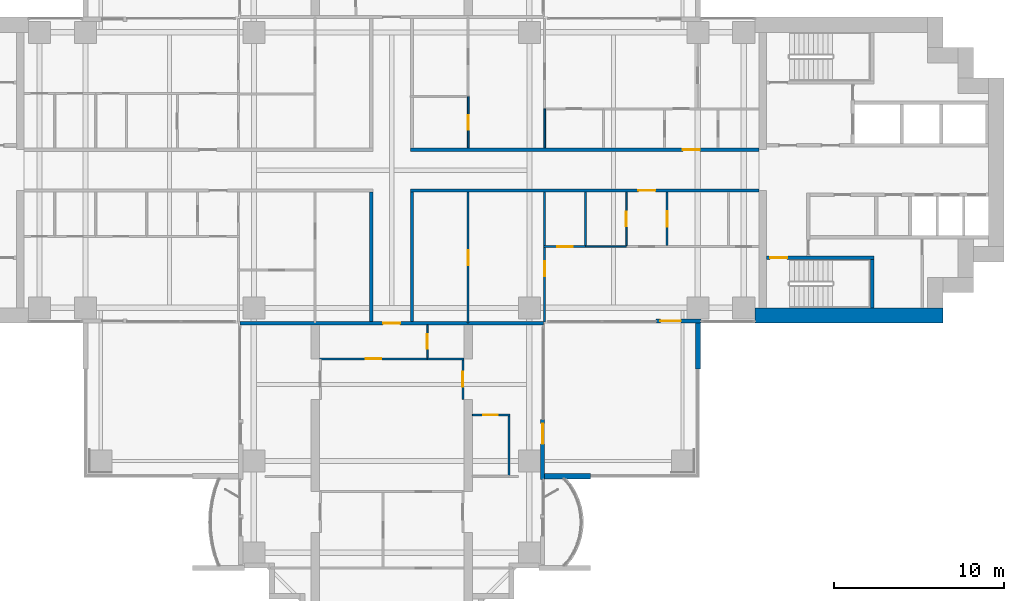
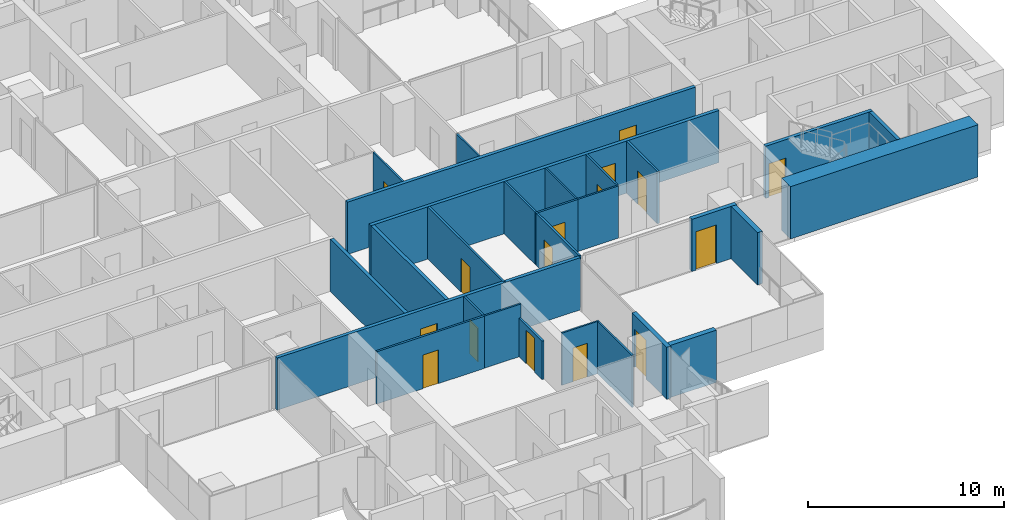
# One storey, part 12 of 20: 27 walls, 16 doors, 16 openings.
"""IFC4 building model written with IfcOpenShell, lengths in metres."""

from ifc_helpers import new_model, si_unit, direction, frame, frame_2d, origin, place, context, subcontext, project, spatial, rectangle, extrude, material, layer, layer_set, type_object, element, fill, save


model = new_model("IFC4")

# Units and contexts
model_context = context("Model", 3, precision=1e-05, world=origin(), true_north=direction((0.0, 1.0)))
body_context = subcontext(model_context, "Body", "Model", "MODEL_VIEW")
ifc_project = project(units=[si_unit("LENGTHUNIT", "METRE"), si_unit("AREAUNIT", "SQUARE_METRE"), si_unit("VOLUMEUNIT", "CUBIC_METRE"), si_unit("PLANEANGLEUNIT", "RADIAN"), si_unit("MASSUNIT", "GRAM", prefix="KILO")], contexts=[model_context])

# Site, building, storey
site_placement = place(None, origin())
site = spatial("IfcSite", under=ifc_project, at=site_placement, CompositionType="ELEMENT")
building_placement = place(site_placement, origin())
building = spatial("IfcBuilding", under=site, at=building_placement, Name="Perihelion Cross Residences", CompositionType="ELEMENT")
storey_placement = place(building_placement, frame((0.0, 0.0, 68.0)))
storey = spatial("IfcBuildingStorey", under=building, at=storey_placement, Name="L14", CompositionType="ELEMENT", Elevation=68.0)

# Wall, opening, door
ifc_material_1 = material(Name="Plasterboard partition")
ifc_layer_1 = layer(ifc_material_1, 0.199951171875)
ifc_layer_set_1 = layer_set([ifc_layer_1], Name="Apartment separation wall 200")
wall_type_1 = type_object("IfcWallType", Name="Apartment separation wall 200", PredefinedType="PARTITIONING", material=ifc_layer_set_1)
wall_1_placement = place(storey_placement, frame((1.10009765625, 1.199951171875, 0.0), z_axis=(0.0, 0.0, 1.0), x_axis=(1.0, 0.0, 0.0)))
wall_1 = element("IfcWall", 1, at=wall_1_placement, inside=storey, type_object=wall_type_1, Name="Partition L14 W001", PredefinedType="PARTITIONING", context=body_context, shape_type="SweptSolid", body=[
    extrude(rectangle(XDim=20.5, YDim=0.199951171875, at=frame_2d((10.25, 0.0))), origin(), (0.0, 0.0, 1.0), 3.25),
])
opening_1_placement = place(wall_1_placement, frame((16.02490234375, 0.0, 0.0)))
opening_1 = element("IfcOpeningElement", 2, at=opening_1_placement, cuts=wall_1, Name="Opening L14.A46", PredefinedType="OPENING", context=body_context, shape_type="SweptSolid", body=[
    extrude(rectangle(XDim=1.0, YDim=2.10009765625, at=frame_2d((0.5, 1.050048828125))), frame((0.0, 0.10986328125, 0.0), z_axis=(0.0, -1.0, 0.0), x_axis=(1.0, 0.0, 0.0)), (0.0, 0.0, 1.0), 0.219970703125),
])
ifc_material_2 = material(Name="Timber door leaf", Category="wood")
door_type_1 = type_object("IfcDoorType", Name="Flat entrance door 1000 x 2100", OperationType="SINGLE_SWING_LEFT", PredefinedType="DOOR", material=ifc_material_2)
door_1_placement = place(opening_1_placement, origin())
door_1 = element("IfcDoor", 3, at=door_1_placement, inside=storey, type_object=door_type_1, Name="Door L14.A46", OperationType="SINGLE_SWING_RIGHT", OverallHeight=2.10009765625, OverallWidth=1.0, PredefinedType="DOOR", context=body_context, shape_type="SweptSolid", body=[
    extrude(rectangle(XDim=1.0, YDim=2.10009765625, at=frame_2d((0.5, 1.050048828125))), frame((0.0, 0.02490234375, 0.0), z_axis=(0.0, -1.0, 0.0), x_axis=(1.0, 0.0, 0.0)), (0.0, 0.0, 1.0), 0.050048828125),
])
fill(opening_1, door_1)

wall_2_placement = place(storey_placement, frame((21.60009765625, -1.199951171875, 0.0), z_axis=(0.0, 0.0, 1.0), x_axis=(-1.0, 0.0, 0.0)))
wall_2 = element("IfcWall", 4, at=wall_2_placement, inside=storey, type_object=wall_type_1, Name="Partition L14 W003", PredefinedType="PARTITIONING", context=body_context, shape_type="SweptSolid", body=[
    extrude(rectangle(XDim=20.5, YDim=0.199951171875, at=frame_2d((10.25, 0.0))), origin(), (0.0, 0.0, 1.0), 3.25),
])
opening_2_placement = place(wall_2_placement, frame((6.10009765625, 0.0, 0.0)))
opening_2 = element("IfcOpeningElement", 5, at=opening_2_placement, cuts=wall_2, Name="Opening L14.A47", PredefinedType="OPENING", context=body_context, shape_type="SweptSolid", body=[
    extrude(rectangle(XDim=1.0, YDim=2.10009765625, at=frame_2d((0.5, 1.050048828125))), frame((0.0, 0.10986328125, 0.0), z_axis=(0.0, -1.0, 0.0), x_axis=(1.0, 0.0, 0.0)), (0.0, 0.0, 1.0), 0.219970703125),
])
door_2_placement = place(opening_2_placement, origin())
door_2 = element("IfcDoor", 6, at=door_2_placement, inside=storey, type_object=door_type_1, Name="Door L14.A47", OperationType="SINGLE_SWING_LEFT", OverallHeight=2.10009765625, OverallWidth=1.0, PredefinedType="DOOR", context=body_context, shape_type="SweptSolid", body=[
    extrude(rectangle(XDim=1.0, YDim=2.10009765625, at=frame_2d((0.5, 1.050048828125))), frame((0.0, 0.02490234375, 0.0), z_axis=(0.0, -1.0, 0.0), x_axis=(1.0, 0.0, 0.0)), (0.0, 0.0, 1.0), 0.050048828125),
])
fill(opening_2, door_2)

# Walls
for number, where, z_axis, x_axis, name in (
    (7, (1.199951171875, -1.300048828125, 0.0), (0.0, 0.0, 1.0), (0.0, -1.0, 0.0), "Partition L14 W004"),
    (8, (-1.199951171875, -8.89990234375, 0.0), (0.0, 0.0, 1.0), (0.0, 1.0, 0.0), "Partition L14 W008"),
):
    element("IfcWall", number, at=place(storey_placement, frame(where, z_axis=z_axis, x_axis=x_axis)), inside=storey, type_object=wall_type_1, Name=name, PredefinedType="PARTITIONING", context=body_context, shape_type="SweptSolid", body=[
        extrude(rectangle(XDim=7.599853515625, YDim=0.199951171875, at=frame_2d((3.7998046875, 0.0))), origin(), (0.0, 0.0, 1.0), 3.25),
    ])

# Wall, opening, door
wall_3_placement = place(storey_placement, frame((8.919921875, -9.0, 0.0), z_axis=(0.0, 0.0, 1.0), x_axis=(-1.0, 0.0, 0.0)))
wall_3 = element("IfcWall", 9, at=wall_3_placement, inside=storey, type_object=wall_type_1, Name="Partition L14 W010", PredefinedType="PARTITIONING", context=body_context, shape_type="SweptSolid", body=[
    extrude(rectangle(XDim=17.83984375, YDim=0.199951171875, at=frame_2d((8.919921875, 0.0))), origin(), (0.0, 0.0, 1.0), 3.25),
])
opening_3_placement = place(wall_3_placement, frame((8.419921875, 0.0, 0.0)))
opening_3 = element("IfcOpeningElement", 10, at=opening_3_placement, cuts=wall_3, Name="Opening L14.A39", PredefinedType="OPENING", context=body_context, shape_type="SweptSolid", body=[
    extrude(rectangle(XDim=1.0, YDim=2.10009765625, at=frame_2d((0.5, 1.050048828125))), frame((0.0, 0.10986328125, 0.0), z_axis=(0.0, -1.0, 0.0), x_axis=(1.0, 0.0, 0.0)), (0.0, 0.0, 1.0), 0.219970703125),
])
door_3_placement = place(opening_3_placement, origin())
door_3 = element("IfcDoor", 11, at=door_3_placement, inside=storey, type_object=door_type_1, Name="Door L14.A39", OperationType="SINGLE_SWING_LEFT", OverallHeight=2.10009765625, OverallWidth=1.0, PredefinedType="DOOR", context=body_context, shape_type="SweptSolid", body=[
    extrude(rectangle(XDim=1.0, YDim=2.10009765625, at=frame_2d((0.5, 1.050048828125))), frame((0.0, 0.02490234375, 0.0), z_axis=(0.0, -1.0, 0.0), x_axis=(1.0, 0.0, 0.0)), (0.0, 0.0, 1.0), 0.050048828125),
])
fill(opening_3, door_3)

ifc_material_3 = material(Name="Concrete C30/37, bronze-clad", Category="concrete")
ifc_layer_2 = layer(ifc_material_3, 0.25)
ifc_layer_set_2 = layer_set([ifc_layer_2], Name="Bronze-clad pier wall 250")
wall_type_2 = type_object("IfcWallType", Name="Bronze-clad pier wall 250", PredefinedType="SOLIDWALL", material=ifc_layer_set_2)
wall_4_placement = place(storey_placement, frame((8.875, -18.199951171875, 0.0), z_axis=(0.0, 0.0, 1.0), x_axis=(0.0, 1.0, 0.0)))
wall_4 = element("IfcWall", 12, at=wall_4_placement, inside=storey, type_object=wall_type_2, Name="Wall FW1 L14 south side east bay 2 pier", PredefinedType="SOLIDWALL", context=body_context, shape_type="SweptSolid", body=[
    extrude(rectangle(XDim=3.550048828125, YDim=0.25, at=frame_2d((1.77490234375, 0.0))), origin(), (0.0, 0.0, 1.0), 3.25),
])
opening_4_placement = place(wall_4_placement, frame((2.10009765625, 0.0, 0.0)))
opening_4 = element("IfcOpeningElement", 13, at=opening_4_placement, cuts=wall_4, Name="Opening L14.E15", PredefinedType="OPENING", context=body_context, shape_type="SweptSolid", body=[
    extrude(rectangle(XDim=1.199951171875, YDim=2.39990234375, at=frame_2d((0.60009765625, 1.199951171875))), frame((0.0, 0.135009765625, 0.0), z_axis=(0.0, -1.0, 0.0), x_axis=(1.0, 0.0, 0.0)), (0.0, 0.0, 1.0), 0.27001953125),
])
ifc_material_4 = material(Name="Bronze anodised aluminium, glazed", Category="aluminium")
door_type_2 = type_object("IfcDoorType", Name="Balcony door 1200 x 2400", OperationType="NOTDEFINED", PredefinedType="DOOR", material=ifc_material_4)
door_4_placement = place(opening_4_placement, origin())
door_4 = element("IfcDoor", 14, at=door_4_placement, inside=storey, type_object=door_type_2, Name="Door L14.E15 south side east bay 2", OperationType="SINGLE_SWING_RIGHT", OverallHeight=2.39990234375, OverallWidth=1.199951171875, PredefinedType="DOOR", context=body_context, shape_type="SweptSolid", body=[
    extrude(rectangle(XDim=1.199951171875, YDim=2.39990234375, at=frame_2d((0.60009765625, 1.199951171875))), frame((0.0, 0.02490234375, 0.0), z_axis=(0.0, -1.0, 0.0), x_axis=(1.0, 0.0, 0.0)), (0.0, 0.0, 1.0), 0.050048828125),
])
fill(opening_4, door_4)

wall_5_placement = place(storey_placement, frame((15.550048828125, -8.875, 0.0), z_axis=(0.0, 0.0, 1.0), x_axis=(1.0, 0.0, 0.0)))
wall_5 = element("IfcWall", 15, at=wall_5_placement, inside=storey, type_object=wall_type_2, Name="Wall FW1 L14 east side south bay 1 pier", PredefinedType="SOLIDWALL", context=body_context, shape_type="SweptSolid", body=[
    extrude(rectangle(XDim=2.64990234375, YDim=0.25, at=frame_2d((1.324951171875, 0.0))), origin(), (0.0, 0.0, 1.0), 3.25),
])
opening_5_placement = place(wall_5_placement, frame((0.25, 0.0, 0.0)))
opening_5 = element("IfcOpeningElement", 16, at=opening_5_placement, cuts=wall_5, Name="Opening L14.E16", PredefinedType="OPENING", context=body_context, shape_type="SweptSolid", body=[
    extrude(rectangle(XDim=1.199951171875, YDim=2.39990234375, at=frame_2d((0.60009765625, 1.199951171875))), frame((0.0, 0.135009765625, 0.0), z_axis=(0.0, -1.0, 0.0), x_axis=(1.0, 0.0, 0.0)), (0.0, 0.0, 1.0), 0.27001953125),
])
door_5_placement = place(opening_5_placement, origin())
door_5 = element("IfcDoor", 17, at=door_5_placement, inside=storey, type_object=door_type_2, Name="Door L14.E16 east side south bay 1", OperationType="SINGLE_SWING_LEFT", OverallHeight=2.39990234375, OverallWidth=1.199951171875, PredefinedType="DOOR", context=body_context, shape_type="SweptSolid", body=[
    extrude(rectangle(XDim=1.199951171875, YDim=2.39990234375, at=frame_2d((0.60009765625, 1.199951171875))), frame((0.0, 0.02490234375, 0.0), z_axis=(0.0, -1.0, 0.0), x_axis=(1.0, 0.0, 0.0)), (0.0, 0.0, 1.0), 0.050048828125),
])
fill(opening_5, door_5)

# Wall
ifc_material_5 = material(Name="Concrete C60/75", Category="concrete")
ifc_layer_3 = layer(ifc_material_5, 0.89990234375)
ifc_layer_set_3 = layer_set([ifc_layer_3], Name="Core wall, outer 900")
wall_type_3 = type_object("IfcWallType", Name="Core wall, outer 900", PredefinedType="SHEAR", material=ifc_layer_set_3)
wall_6_placement = place(storey_placement, frame((21.35009765625, -8.550048828125, 0.0), z_axis=(0.0, 0.0, 1.0), x_axis=(1.0, 0.0, 0.0)))
element("IfcWall", 18, at=wall_6_placement, inside=storey, type_object=wall_type_3, Name="East core core wall, outer", PredefinedType="SHEAR", context=body_context, shape_type="SweptSolid", body=[
    extrude(rectangle(XDim=11.0498046875, YDim=0.89990234375, at=frame_2d((5.52490234375, 0.0))), origin(), (0.0, 0.0, 1.0), 3.25),
])

# Wall, opening, door
ifc_material_6 = material(Name="Plasterboard partition")
ifc_layer_4 = layer(ifc_material_6, 0.1201171875)
ifc_layer_set_4 = layer_set([ifc_layer_4], Name="Infill panel 120")
wall_type_4 = type_object("IfcWallType", Name="Infill panel 120", PredefinedType="PARTITIONING", material=ifc_layer_set_4)
wall_7_placement = place(storey_placement, frame((4.18994140625, -11.10009765625, 0.0), z_axis=(0.0, 0.0, 1.0), x_axis=(0.0, -1.0, 0.0)))
wall_7 = element("IfcWall", 19, at=wall_7_placement, inside=storey, type_object=wall_type_4, Name="Partition L14 WI05", PredefinedType="PARTITIONING", context=body_context, shape_type="SweptSolid", body=[
    extrude(rectangle(XDim=2.39990234375, YDim=0.1201171875, at=frame_2d((1.199951171875, 0.0))), origin(), (0.0, 0.0, 1.0), 2.39990234375),
])
opening_6_placement = place(wall_7_placement, frame((0.75, 0.0, 0.0)))
opening_6 = element("IfcOpeningElement", 20, at=opening_6_placement, cuts=wall_7, Name="Opening L14.A54", PredefinedType="OPENING", context=body_context, shape_type="SweptSolid", body=[
    extrude(rectangle(XDim=0.89990234375, YDim=2.10009765625, at=frame_2d((0.449951171875, 1.050048828125))), frame((0.0, 0.070068359375, 0.0), z_axis=(0.0, -1.0, 0.0), x_axis=(1.0, 0.0, 0.0)), (0.0, 0.0, 1.0), 0.14013671875),
])
ifc_material_7 = material(Name="Timber door leaf", Category="wood")
door_type_3 = type_object("IfcDoorType", Name="Interior room door 900 x 2100", OperationType="SINGLE_SWING_LEFT", PredefinedType="DOOR", material=ifc_material_7)
door_6_placement = place(opening_6_placement, origin())
door_6 = element("IfcDoor", 21, at=door_6_placement, inside=storey, type_object=door_type_3, Name="Door L14.A54", OperationType="SINGLE_SWING_LEFT", OverallHeight=2.10009765625, OverallWidth=0.89990234375, PredefinedType="DOOR", context=body_context, shape_type="SweptSolid", body=[
    extrude(rectangle(XDim=0.89990234375, YDim=2.10009765625, at=frame_2d((0.449951171875, 1.050048828125))), frame((0.0, 0.02490234375, 0.0), z_axis=(0.0, -1.0, 0.0), x_axis=(1.0, 0.0, 0.0)), (0.0, 0.0, 1.0), 0.050048828125),
])
fill(opening_6, door_6)

ifc_material_8 = material(Name="Plasterboard partition")
ifc_layer_5 = layer(ifc_material_8, 0.1201171875)
ifc_layer_set_5 = layer_set([ifc_layer_5], Name="Partition wall 120")
wall_type_5 = type_object("IfcWallType", Name="Partition wall 120", PredefinedType="PARTITIONING", material=ifc_layer_set_5)
wall_8_placement = place(storey_placement, frame((11.39990234375, -4.5, 0.0), z_axis=(0.0, 0.0, 1.0), x_axis=(-1.0, 0.0, 0.0)))
wall_8 = element("IfcWall", 22, at=wall_8_placement, inside=storey, type_object=wall_type_5, Name="Partition L14 W023", PredefinedType="PARTITIONING", context=body_context, shape_type="SweptSolid", body=[
    extrude(rectangle(XDim=2.4599609375, YDim=0.1201171875, at=frame_2d((1.22998046875, 0.0))), origin(), (0.0, 0.0, 1.0), 3.25),
])
opening_7_placement = place(wall_8_placement, frame((0.75, 0.0, 0.0)))
opening_7 = element("IfcOpeningElement", 23, at=opening_7_placement, cuts=wall_8, Name="Opening L14.A15", PredefinedType="OPENING", context=body_context, shape_type="SweptSolid", body=[
    extrude(rectangle(XDim=0.89990234375, YDim=2.10009765625, at=frame_2d((0.449951171875, 1.050048828125))), frame((0.0, 0.070068359375, 0.0), z_axis=(0.0, -1.0, 0.0), x_axis=(1.0, 0.0, 0.0)), (0.0, 0.0, 1.0), 0.14013671875),
])
door_7_placement = place(opening_7_placement, origin())
door_7 = element("IfcDoor", 24, at=door_7_placement, inside=storey, type_object=door_type_3, Name="Door L14.A15", OperationType="SINGLE_SWING_RIGHT", OverallHeight=2.10009765625, OverallWidth=0.89990234375, PredefinedType="DOOR", context=body_context, shape_type="SweptSolid", body=[
    extrude(rectangle(XDim=0.89990234375, YDim=2.10009765625, at=frame_2d((0.449951171875, 1.050048828125))), frame((0.0, 0.02490234375, 0.0), z_axis=(0.0, -1.0, 0.0), x_axis=(1.0, 0.0, 0.0)), (0.0, 0.0, 1.0), 0.050048828125),
])
fill(opening_7, door_7)

wall_9_placement = place(storey_placement, frame((9.0, -8.919921875, 0.0), z_axis=(0.0, 0.0, 1.0), x_axis=(0.0, 1.0, 0.0)))
wall_9 = element("IfcWall", 25, at=wall_9_placement, inside=storey, type_object=wall_type_5, Name="Partition L14 W024", PredefinedType="PARTITIONING", context=body_context, shape_type="SweptSolid", body=[
    extrude(rectangle(XDim=7.619873046875, YDim=0.1201171875, at=frame_2d((3.81005859375, 0.0))), origin(), (0.0, 0.0, 1.0), 3.25),
])
opening_8_placement = place(wall_9_placement, frame((2.669921875, 0.0, 0.0)))
opening_8 = element("IfcOpeningElement", 26, at=opening_8_placement, cuts=wall_9, Name="Opening L14.A14", PredefinedType="OPENING", context=body_context, shape_type="SweptSolid", body=[
    extrude(rectangle(XDim=0.89990234375, YDim=2.10009765625, at=frame_2d((0.449951171875, 1.050048828125))), frame((0.0, 0.070068359375, 0.0), z_axis=(0.0, -1.0, 0.0), x_axis=(1.0, 0.0, 0.0)), (0.0, 0.0, 1.0), 0.14013671875),
])
door_8_placement = place(opening_8_placement, origin())
door_8 = element("IfcDoor", 27, at=door_8_placement, inside=storey, type_object=door_type_3, Name="Door L14.A14", OperationType="SINGLE_SWING_RIGHT", OverallHeight=2.10009765625, OverallWidth=0.89990234375, PredefinedType="DOOR", context=body_context, shape_type="SweptSolid", body=[
    extrude(rectangle(XDim=0.89990234375, YDim=2.10009765625, at=frame_2d((0.449951171875, 1.050048828125))), frame((0.0, 0.02490234375, 0.0), z_axis=(0.0, -1.0, 0.0), x_axis=(1.0, 0.0, 0.0)), (0.0, 0.0, 1.0), 0.050048828125),
])
fill(opening_8, door_8)

wall_10_placement = place(storey_placement, frame((16.199951171875, -1.300048828125, 0.0), z_axis=(0.0, 0.0, 1.0), x_axis=(0.0, -1.0, 0.0)))
wall_10 = element("IfcWall", 28, at=wall_10_placement, inside=storey, type_object=wall_type_5, Name="Partition L14 W027", PredefinedType="PARTITIONING", context=body_context, shape_type="SweptSolid", body=[
    extrude(rectangle(XDim=3.139892578125, YDim=0.1201171875, at=frame_2d((1.56982421875, 0.0))), origin(), (0.0, 0.0, 1.0), 3.25),
])
opening_9_placement = place(wall_10_placement, frame((1.1201171875, 0.0, 0.0)))
opening_9 = element("IfcOpeningElement", 29, at=opening_9_placement, cuts=wall_10, Name="Opening L14.A11", PredefinedType="OPENING", context=body_context, shape_type="SweptSolid", body=[
    extrude(rectangle(XDim=0.89990234375, YDim=2.10009765625, at=frame_2d((0.449951171875, 1.050048828125))), frame((0.0, 0.070068359375, 0.0), z_axis=(0.0, -1.0, 0.0), x_axis=(1.0, 0.0, 0.0)), (0.0, 0.0, 1.0), 0.14013671875),
])
door_9_placement = place(opening_9_placement, origin())
door_9 = element("IfcDoor", 30, at=door_9_placement, inside=storey, type_object=door_type_3, Name="Door L14.A11", OperationType="SINGLE_SWING_RIGHT", OverallHeight=2.10009765625, OverallWidth=0.89990234375, PredefinedType="DOOR", context=body_context, shape_type="SweptSolid", body=[
    extrude(rectangle(XDim=0.89990234375, YDim=2.10009765625, at=frame_2d((0.449951171875, 1.050048828125))), frame((0.0, 0.02490234375, 0.0), z_axis=(0.0, -1.0, 0.0), x_axis=(1.0, 0.0, 0.0)), (0.0, 0.0, 1.0), 0.050048828125),
])
fill(opening_9, door_9)

wall_11_placement = place(storey_placement, frame((4.5, -9.0, 0.0), z_axis=(0.0, 0.0, 1.0), x_axis=(0.0, 1.0, 0.0)))
wall_11 = element("IfcWall", 31, at=wall_11_placement, inside=storey, type_object=wall_type_5, Name="Partition L14 W030", PredefinedType="PARTITIONING", context=body_context, shape_type="SweptSolid", body=[
    extrude(rectangle(XDim=7.699951171875, YDim=0.1201171875, at=frame_2d((3.85009765625, 0.0))), origin(), (0.0, 0.0, 1.0), 3.25),
])
opening_10_placement = place(wall_11_placement, frame((3.39990234375, 0.0, 0.0)))
opening_10 = element("IfcOpeningElement", 32, at=opening_10_placement, cuts=wall_11, Name="Opening L14.A10", PredefinedType="OPENING", context=body_context, shape_type="SweptSolid", body=[
    extrude(rectangle(XDim=0.89990234375, YDim=2.10009765625, at=frame_2d((0.449951171875, 1.050048828125))), frame((0.0, 0.070068359375, 0.0), z_axis=(0.0, -1.0, 0.0), x_axis=(1.0, 0.0, 0.0)), (0.0, 0.0, 1.0), 0.14013671875),
])
door_10_placement = place(opening_10_placement, origin())
door_10 = element("IfcDoor", 33, at=door_10_placement, inside=storey, type_object=door_type_3, Name="Door L14.A10", OperationType="SINGLE_SWING_LEFT", OverallHeight=2.10009765625, OverallWidth=0.89990234375, PredefinedType="DOOR", context=body_context, shape_type="SweptSolid", body=[
    extrude(rectangle(XDim=0.89990234375, YDim=2.10009765625, at=frame_2d((0.449951171875, 1.050048828125))), frame((0.0, 0.02490234375, 0.0), z_axis=(0.0, -1.0, 0.0), x_axis=(1.0, 0.0, 0.0)), (0.0, 0.0, 1.0), 0.050048828125),
])
fill(opening_10, door_10)

wall_12_placement = place(storey_placement, frame((2.10009765625, -11.10009765625, 0.0), z_axis=(0.0, 0.0, 1.0), x_axis=(-1.0, 0.0, 0.0)))
wall_12 = element("IfcWall", 34, at=wall_12_placement, inside=storey, type_object=wall_type_5, Name="Partition L14 W067", PredefinedType="PARTITIONING", context=body_context, shape_type="SweptSolid", body=[
    extrude(rectangle(XDim=6.35009765625, YDim=0.1201171875, at=frame_2d((3.175048828125, 0.0))), origin(), (0.0, 0.0, 1.0), 3.25),
])
opening_11_placement = place(wall_12_placement, frame((2.72509765625, 0.0, 0.0)))
opening_11 = element("IfcOpeningElement", 35, at=opening_11_placement, cuts=wall_12, Name="Opening L14.A41", PredefinedType="OPENING", context=body_context, shape_type="SweptSolid", body=[
    extrude(rectangle(XDim=0.89990234375, YDim=2.10009765625, at=frame_2d((0.449951171875, 1.050048828125))), frame((0.0, 0.070068359375, 0.0), z_axis=(0.0, -1.0, 0.0), x_axis=(1.0, 0.0, 0.0)), (0.0, 0.0, 1.0), 0.14013671875),
])
door_11_placement = place(opening_11_placement, origin())
door_11 = element("IfcDoor", 36, at=door_11_placement, inside=storey, type_object=door_type_3, Name="Door L14.A41", OperationType="SINGLE_SWING_LEFT", OverallHeight=2.10009765625, OverallWidth=0.89990234375, PredefinedType="DOOR", context=body_context, shape_type="SweptSolid", body=[
    extrude(rectangle(XDim=0.89990234375, YDim=2.10009765625, at=frame_2d((0.449951171875, 1.050048828125))), frame((0.0, 0.02490234375, 0.0), z_axis=(0.0, -1.0, 0.0), x_axis=(1.0, 0.0, 0.0)), (0.0, 0.0, 1.0), 0.050048828125),
])
fill(opening_11, door_11)

# Walls
ifc_material_9 = material(Name="Precast concrete C50/60", Category="concrete")
ifc_layer_6 = layer(ifc_material_9, 0.300048828125)
ifc_layer_set_6 = layer_set([ifc_layer_6], Name="Precast concrete C50/60 blade wall 300")
wall_type_6 = type_object("IfcWallType", Name="Precast concrete C50/60 blade wall 300", PredefinedType="SOLIDWALL", material=ifc_layer_set_6)
wall_13_placement = place(storey_placement, frame((9.0, -18.0, 0.0), z_axis=(0.0, 0.0, 1.0), x_axis=(1.0, 0.0, 0.0)))
element("IfcWall", 37, at=wall_13_placement, inside=storey, type_object=wall_type_6, Name="Wall BL1 L14 no. 15", PredefinedType="SOLIDWALL", context=body_context, shape_type="SweptSolid", body=[
    extrude(rectangle(XDim=2.699951171875, YDim=0.300048828125, at=frame_2d((1.35009765625, 0.0))), origin(), (0.0, 0.0, 1.0), 3.25),
])
wall_14_placement = place(storey_placement, frame((18.0, -8.75, 0.0), z_axis=(0.0, 0.0, 1.0), x_axis=(0.0, -1.0, 0.0)))
element("IfcWall", 38, at=wall_14_placement, inside=storey, type_object=wall_type_6, Name="Wall BL1 L14 no. 11", PredefinedType="SOLIDWALL", context=body_context, shape_type="SweptSolid", body=[
    extrude(rectangle(XDim=2.949951171875, YDim=0.300048828125, at=frame_2d((1.47509765625, 0.0))), origin(), (0.0, 0.0, 1.0), 3.25),
])

# Wall, opening, door
ifc_material_10 = material(Name="Concrete C50/60", Category="concrete")
ifc_layer_7 = layer(ifc_material_10, 0.199951171875)
ifc_layer_set_7 = layer_set([ifc_layer_7], Name="Stair wall 200")
wall_type_7 = type_object("IfcWallType", Name="Stair wall 200", PredefinedType="SOLIDWALL", material=ifc_layer_set_7)
wall_15_placement = place(storey_placement, frame((22.050048828125, -5.14990234375, 0.0), z_axis=(0.0, 0.0, 1.0), x_axis=(1.0, 0.0, 0.0)))
wall_15 = element("IfcWall", 39, at=wall_15_placement, inside=storey, type_object=wall_type_7, Name="East core stair wall", PredefinedType="SOLIDWALL", context=body_context, shape_type="SweptSolid", body=[
    extrude(rectangle(XDim=6.300048828125, YDim=0.199951171875, at=frame_2d((3.14990234375, 0.0))), origin(), (0.0, 0.0, 1.0), 3.25),
])
opening_12_placement = place(wall_15_placement, frame((0.199951171875, 0.0, 0.0)))
opening_12 = element("IfcOpeningElement", 40, at=opening_12_placement, cuts=wall_15, Name="Opening L14.C05", PredefinedType="OPENING", context=body_context, shape_type="SweptSolid", body=[
    extrude(rectangle(XDim=1.0, YDim=2.10009765625, at=frame_2d((0.5, 1.050048828125))), frame((0.0, 0.10986328125, 0.0), z_axis=(0.0, -1.0, 0.0), x_axis=(1.0, 0.0, 0.0)), (0.0, 0.0, 1.0), 0.219970703125),
])
ifc_material_11 = material(Name="Steel, powder coated", Category="steel")
door_type_4 = type_object("IfcDoorType", Name="Stair door 1000", OperationType="SINGLE_SWING_LEFT", PredefinedType="DOOR", material=ifc_material_11)
door_12_placement = place(opening_12_placement, origin())
door_12 = element("IfcDoor", 41, at=door_12_placement, inside=storey, type_object=door_type_4, Name="East core stair door", OperationType="SINGLE_SWING_LEFT", OverallHeight=2.10009765625, OverallWidth=1.0, PredefinedType="DOOR", context=body_context, shape_type="SweptSolid", body=[
    extrude(rectangle(XDim=1.0, YDim=2.10009765625, at=frame_2d((0.5, 1.050048828125))), frame((0.0, 0.02490234375, 0.0), z_axis=(0.0, -1.0, 0.0), x_axis=(1.0, 0.0, 0.0)), (0.0, 0.0, 1.0), 0.050048828125),
])
fill(opening_12, door_12)

# Walls
wall_16_placement = place(storey_placement, frame((28.25, -8.10009765625, 0.0), z_axis=(0.0, 0.0, 1.0), x_axis=(0.0, 1.0, 0.0)))
element("IfcWall", 42, at=wall_16_placement, inside=storey, type_object=wall_type_7, Name="East core stair wall", PredefinedType="SOLIDWALL", context=body_context, shape_type="SweptSolid", body=[
    extrude(rectangle(XDim=2.85009765625, YDim=0.199951171875, at=frame_2d((1.425048828125, 0.0))), origin(), (0.0, 0.0, 1.0), 3.25),
])
ifc_material_12 = material(Name="Plasterboard partition")
ifc_layer_8 = layer(ifc_material_12, 0.10009765625)
ifc_layer_set_8 = layer_set([ifc_layer_8], Name="Wet room wall 100")
wall_type_8 = type_object("IfcWallType", Name="Wet room wall 100", PredefinedType="PARTITIONING", material=ifc_layer_set_8)
wall_17_placement = place(storey_placement, frame((9.0, 1.300048828125, 0.0), z_axis=(0.0, 0.0, 1.0), x_axis=(0.0, 1.0, 0.0)))
element("IfcWall", 43, at=wall_17_placement, inside=storey, type_object=wall_type_8, Name="Partition L14 W013", PredefinedType="PARTITIONING", context=body_context, shape_type="SweptSolid", body=[
    extrude(rectangle(XDim=2.300048828125, YDim=0.10009765625, at=frame_2d((1.14990234375, 0.0))), origin(), (0.0, 0.0, 1.0), 3.25),
])

# Wall, opening, door
wall_18_placement = place(storey_placement, frame((4.5, 1.300048828125, 0.0), z_axis=(0.0, 0.0, 1.0), x_axis=(0.0, 1.0, 0.0)))
wall_18 = element("IfcWall", 44, at=wall_18_placement, inside=storey, type_object=wall_type_8, Name="Partition L14 W019", PredefinedType="PARTITIONING", context=body_context, shape_type="SweptSolid", body=[
    extrude(rectangle(XDim=3.02001953125, YDim=0.10009765625, at=frame_2d((1.510009765625, 0.0))), origin(), (0.0, 0.0, 1.0), 3.25),
])
opening_13_placement = place(wall_18_placement, frame((1.0849609375, 0.0, 0.0)))
opening_13 = element("IfcOpeningElement", 45, at=opening_13_placement, cuts=wall_18, Name="Opening L14.A07", PredefinedType="OPENING", context=body_context, shape_type="SweptSolid", body=[
    extrude(rectangle(XDim=0.85009765625, YDim=2.10009765625, at=frame_2d((0.425048828125, 1.050048828125))), frame((0.0, 0.06005859375, 0.0), z_axis=(0.0, -1.0, 0.0), x_axis=(1.0, 0.0, 0.0)), (0.0, 0.0, 1.0), 0.1201171875),
])
ifc_material_13 = material(Name="Timber door leaf", Category="wood")
door_type_5 = type_object("IfcDoorType", Name="Interior bathroom door 850 x 2100", OperationType="SINGLE_SWING_LEFT", PredefinedType="DOOR", material=ifc_material_13)
door_13_placement = place(opening_13_placement, origin())
door_13 = element("IfcDoor", 46, at=door_13_placement, inside=storey, type_object=door_type_5, Name="Door L14.A07", OperationType="SINGLE_SWING_RIGHT", OverallHeight=2.10009765625, OverallWidth=0.85009765625, PredefinedType="DOOR", context=body_context, shape_type="SweptSolid", body=[
    extrude(rectangle(XDim=0.85009765625, YDim=2.10009765625, at=frame_2d((0.425048828125, 1.050048828125))), frame((0.0, 0.02490234375, 0.0), z_axis=(0.0, -1.0, 0.0), x_axis=(1.0, 0.0, 0.0)), (0.0, 0.0, 1.0), 0.050048828125),
])
fill(opening_13, door_13)

# Wall
wall_19_placement = place(storey_placement, frame((11.39990234375, -1.300048828125, 0.0), z_axis=(0.0, 0.0, 1.0), x_axis=(0.0, -1.0, 0.0)))
element("IfcWall", 47, at=wall_19_placement, inside=storey, type_object=wall_type_8, Name="Partition L14 W022", PredefinedType="PARTITIONING", context=body_context, shape_type="SweptSolid", body=[
    extrude(rectangle(XDim=3.139892578125, YDim=0.10009765625, at=frame_2d((1.56982421875, 0.0))), origin(), (0.0, 0.0, 1.0), 3.25),
])

# Wall, opening, door
wall_20_placement = place(storey_placement, frame((13.800048828125, -1.300048828125, 0.0), z_axis=(0.0, 0.0, 1.0), x_axis=(0.0, -1.0, 0.0)))
wall_20 = element("IfcWall", 48, at=wall_20_placement, inside=storey, type_object=wall_type_8, Name="Partition L14 W025", PredefinedType="PARTITIONING", context=body_context, shape_type="SweptSolid", body=[
    extrude(rectangle(XDim=3.139892578125, YDim=0.10009765625, at=frame_2d((1.56982421875, 0.0))), origin(), (0.0, 0.0, 1.0), 3.25),
])
opening_14_placement = place(wall_20_placement, frame((1.14501953125, 0.0, 0.0)))
opening_14 = element("IfcOpeningElement", 49, at=opening_14_placement, cuts=wall_20, Name="Opening L14.A09", PredefinedType="OPENING", context=body_context, shape_type="SweptSolid", body=[
    extrude(rectangle(XDim=0.85009765625, YDim=2.10009765625, at=frame_2d((0.425048828125, 1.050048828125))), frame((0.0, 0.06005859375, 0.0), z_axis=(0.0, -1.0, 0.0), x_axis=(1.0, 0.0, 0.0)), (0.0, 0.0, 1.0), 0.1201171875),
])
door_14_placement = place(opening_14_placement, origin())
door_14 = element("IfcDoor", 50, at=door_14_placement, inside=storey, type_object=door_type_5, Name="Door L14.A09", OperationType="SINGLE_SWING_RIGHT", OverallHeight=2.10009765625, OverallWidth=0.85009765625, PredefinedType="DOOR", context=body_context, shape_type="SweptSolid", body=[
    extrude(rectangle(XDim=0.85009765625, YDim=2.10009765625, at=frame_2d((0.425048828125, 1.050048828125))), frame((0.0, 0.02490234375, 0.0), z_axis=(0.0, -1.0, 0.0), x_axis=(1.0, 0.0, 0.0)), (0.0, 0.0, 1.0), 0.050048828125),
])
fill(opening_14, door_14)

# Wall
wall_21_placement = place(storey_placement, frame((13.800048828125, -4.5, 0.0), z_axis=(0.0, 0.0, 1.0), x_axis=(-1.0, 0.0, 0.0)))
element("IfcWall", 51, at=wall_21_placement, inside=storey, type_object=wall_type_8, Name="Partition L14 W026", PredefinedType="PARTITIONING", context=body_context, shape_type="SweptSolid", body=[
    extrude(rectangle(XDim=2.400146484375, YDim=0.10009765625, at=frame_2d((1.2001953125, 0.0))), origin(), (0.0, 0.0, 1.0), 3.25),
])

# Wall, opening, door
wall_22_placement = place(storey_placement, frame((2.10009765625, -9.10009765625, 0.0), z_axis=(0.0, 0.0, 1.0), x_axis=(0.0, -1.0, 0.0)))
wall_22 = element("IfcWall", 52, at=wall_22_placement, inside=storey, type_object=wall_type_8, Name="Partition L14 W066", PredefinedType="PARTITIONING", context=body_context, shape_type="SweptSolid", body=[
    extrude(rectangle(XDim=1.93994140625, YDim=0.10009765625, at=frame_2d((0.969970703125, 0.0))), origin(), (0.0, 0.0, 1.0), 3.25),
])
opening_15_placement = place(wall_22_placement, frame((0.544921875, 0.0, 0.0)))
opening_15 = element("IfcOpeningElement", 53, at=opening_15_placement, cuts=wall_22, Name="Opening L14.A40", PredefinedType="OPENING", context=body_context, shape_type="SweptSolid", body=[
    extrude(rectangle(XDim=0.85009765625, YDim=2.10009765625, at=frame_2d((0.425048828125, 1.050048828125))), frame((0.0, 0.06005859375, 0.0), z_axis=(0.0, -1.0, 0.0), x_axis=(1.0, 0.0, 0.0)), (0.0, 0.0, 1.0), 0.1201171875),
])
door_15_placement = place(opening_15_placement, origin())
door_15 = element("IfcDoor", 54, at=door_15_placement, inside=storey, type_object=door_type_5, Name="Door L14.A40", OperationType="SINGLE_SWING_RIGHT", OverallHeight=2.10009765625, OverallWidth=0.85009765625, PredefinedType="DOOR", context=body_context, shape_type="SweptSolid", body=[
    extrude(rectangle(XDim=0.85009765625, YDim=2.10009765625, at=frame_2d((0.425048828125, 1.050048828125))), frame((0.0, 0.02490234375, 0.0), z_axis=(0.0, -1.0, 0.0), x_axis=(1.0, 0.0, 0.0)), (0.0, 0.0, 1.0), 0.050048828125),
])
fill(opening_15, door_15)

# Walls
wall_23_placement = place(storey_placement, frame((4.25, -11.10009765625, 0.0), z_axis=(0.0, 0.0, 1.0), x_axis=(-1.0, 0.0, 0.0)))
element("IfcWall", 55, at=wall_23_placement, inside=storey, type_object=wall_type_8, Name="Partition L14 W068", PredefinedType="PARTITIONING", context=body_context, shape_type="SweptSolid", body=[
    extrude(rectangle(XDim=2.14990234375, YDim=0.10009765625, at=frame_2d((1.074951171875, 0.0))), origin(), (0.0, 0.0, 1.0), 3.25),
])
wall_24_placement = place(storey_placement, frame((6.89990234375, -17.93994140625, 0.0), z_axis=(0.0, 0.0, 1.0), x_axis=(0.0, 1.0, 0.0)))
element("IfcWall", 56, at=wall_24_placement, inside=storey, type_object=wall_type_8, Name="Partition L14 W072", PredefinedType="PARTITIONING", context=body_context, shape_type="SweptSolid", body=[
    extrude(rectangle(XDim=3.489990234375, YDim=0.10009765625, at=frame_2d((1.7451171875, 0.0))), origin(), (0.0, 0.0, 1.0), 3.25),
])

# Wall, opening, door
wall_25_placement = place(storey_placement, frame((6.949951171875, -14.39990234375, 0.0), z_axis=(0.0, 0.0, 1.0), x_axis=(-1.0, 0.0, 0.0)))
wall_25 = element("IfcWall", 57, at=wall_25_placement, inside=storey, type_object=wall_type_8, Name="Partition L14 W073", PredefinedType="PARTITIONING", context=body_context, shape_type="SweptSolid", body=[
    extrude(rectangle(XDim=2.199951171875, YDim=0.10009765625, at=frame_2d((1.10009765625, 0.0))), origin(), (0.0, 0.0, 1.0), 3.25),
])
opening_16_placement = place(wall_25_placement, frame((0.699951171875, 0.0, 0.0)))
opening_16 = element("IfcOpeningElement", 58, at=opening_16_placement, cuts=wall_25, Name="Opening L14.A45", PredefinedType="OPENING", context=body_context, shape_type="SweptSolid", body=[
    extrude(rectangle(XDim=0.85009765625, YDim=2.10009765625, at=frame_2d((0.425048828125, 1.050048828125))), frame((0.0, 0.06005859375, 0.0), z_axis=(0.0, -1.0, 0.0), x_axis=(1.0, 0.0, 0.0)), (0.0, 0.0, 1.0), 0.1201171875),
])
door_16_placement = place(opening_16_placement, origin())
door_16 = element("IfcDoor", 59, at=door_16_placement, inside=storey, type_object=door_type_5, Name="Door L14.A45", OperationType="SINGLE_SWING_LEFT", OverallHeight=2.10009765625, OverallWidth=0.85009765625, PredefinedType="DOOR", context=body_context, shape_type="SweptSolid", body=[
    extrude(rectangle(XDim=0.85009765625, YDim=2.10009765625, at=frame_2d((0.425048828125, 1.050048828125))), frame((0.0, 0.02490234375, 0.0), z_axis=(0.0, -1.0, 0.0), x_axis=(1.0, 0.0, 0.0)), (0.0, 0.0, 1.0), 0.050048828125),
])
fill(opening_16, door_16)

save(model, "model.ifc")
